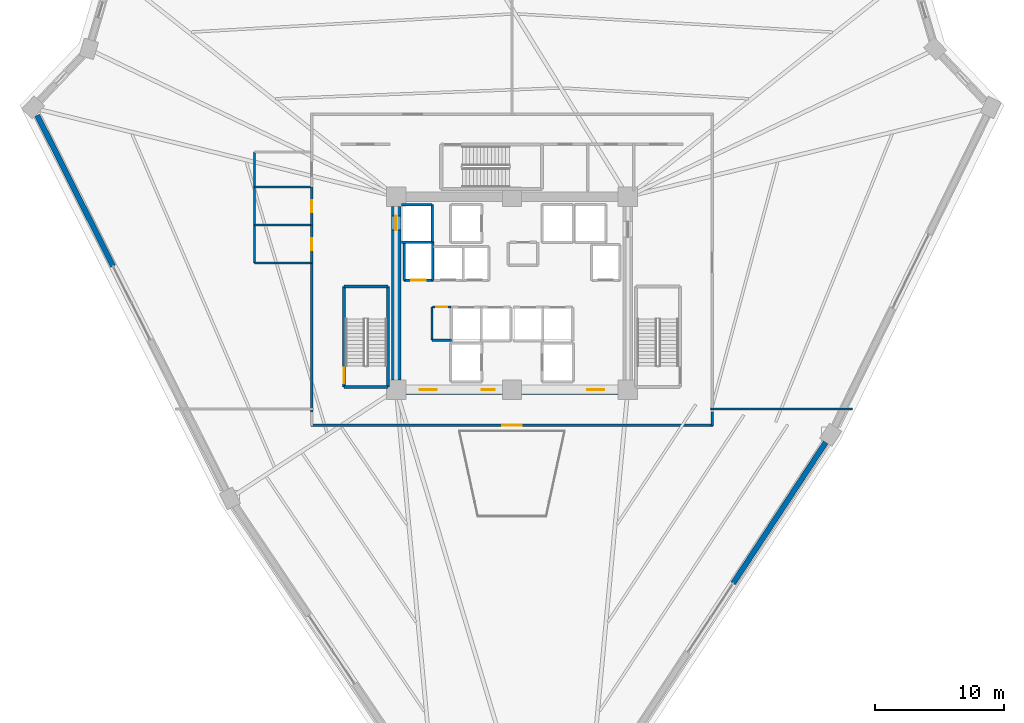
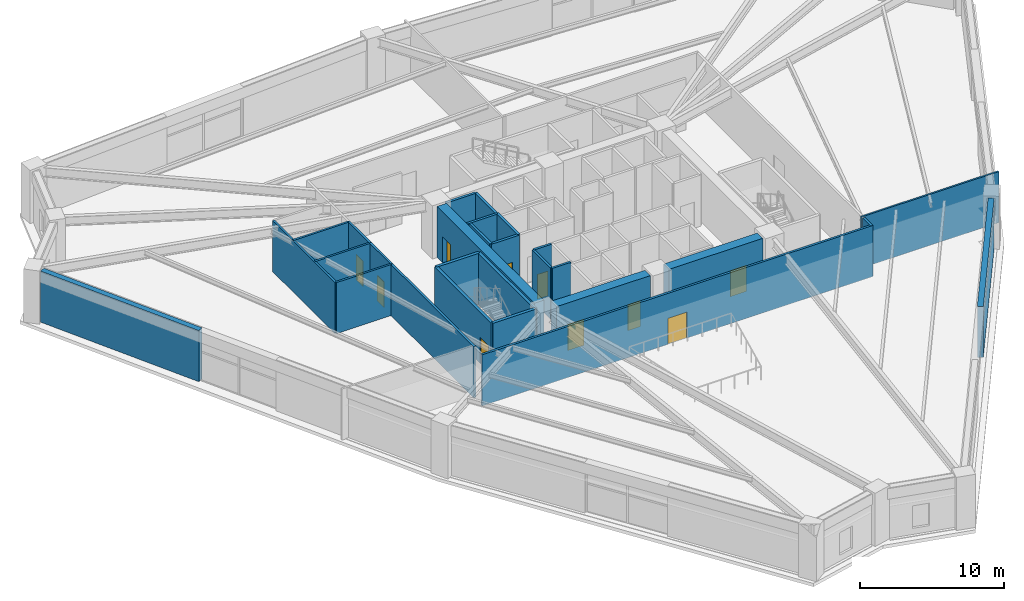
# One storey, part 25 of 30: 28 walls, 10 doors, 10 openings.
"""IFC4 building model written with IfcOpenShell, lengths in metres."""

from ifc_helpers import new_model, si_unit, direction, frame, frame_2d, origin, place, context, subcontext, project, spatial, rectangle, extrude, source, transform, mapped, material, layer, layer_set, type_object, element, fill, save


model = new_model("IFC4")

# Units and contexts
model_context = context("Model", 3, precision=1e-05, world=origin(), true_north=direction((0.0, 1.0)))
body_context = subcontext(model_context, "Body", "Model", "MODEL_VIEW")
ifc_project = project(units=[si_unit("LENGTHUNIT", "METRE"), si_unit("AREAUNIT", "SQUARE_METRE"), si_unit("VOLUMEUNIT", "CUBIC_METRE"), si_unit("PLANEANGLEUNIT", "RADIAN"), si_unit("MASSUNIT", "GRAM", prefix="KILO")], contexts=[model_context])

# Site, building, storey
site_placement = place(None, origin())
site = spatial("IfcSite", under=ifc_project, at=site_placement, CompositionType="ELEMENT")
building_placement = place(site_placement, origin())
building = spatial("IfcBuilding", under=site, at=building_placement, Name="Liaohun Quay Tower", CompositionType="ELEMENT")
storey_placement = place(building_placement, frame((0.0, 0.0, 97.5)))
storey = spatial("IfcBuildingStorey", under=building, at=storey_placement, Name="L25", CompositionType="ELEMENT", Elevation=97.5)

# Wall, opening, door
ifc_material_1 = material(Name="Concrete C60", Category="concrete")
ifc_layer_1 = layer(ifc_material_1, 0.75, Name="Concrete C60", Category="concrete")
ifc_layer_set_1 = layer_set([ifc_layer_1], Name="Concrete C60")
wall_type_1 = type_object("IfcWallType", Name="WAL-COR-Z2", PredefinedType="SHEAR", material=ifc_layer_set_1)
wall_1_placement = place(storey_placement, frame((68.25, 46.5, 0.0), z_axis=(0.0, 0.0, 1.0), x_axis=(-1.0, 0.0, 0.0)))
wall_1 = element("IfcWall", 1, at=wall_1_placement, inside=storey, type_object=wall_type_1, Name="L25 Central Core Shear Wall S-E", PredefinedType="SHEAR", context=body_context, shape_type="SweptSolid", body=[
    extrude(rectangle(XDim=7.5, YDim=0.75, at=frame_2d((3.75, 0.0))), origin(), (0.0, 0.0, 1.0), 4.320068359375),
])
shared_shape_1 = source(origin(), body_context, "Body", "SweptSolid", [
    extrude(rectangle(XDim=1.300048828125, YDim=2.199951171875, at=frame_2d((0.64990234375, 1.10009765625))), frame((0.0, 0.385009765625, 0.0), z_axis=(0.0, -1.0, 0.0), x_axis=(1.0, 0.0, 0.0)), (0.0, 0.0, 1.0), 0.77001953125),
])
opening_1_placement = place(wall_1_placement, frame((1.10009765625, 0.0, 0.0)))
opening_1 = element("IfcOpeningElement", 2, at=opening_1_placement, cuts=wall_1, Name="Opening FD1", PredefinedType="OPENING", context=body_context, shape_type="MappedRepresentation", body=[
    mapped(shared_shape_1, transform((0.0, 0.0, 0.0), x_axis=(1.0, 0.0, 0.0), y_axis=(0.0, 1.0, 0.0), z_axis=(0.0, 0.0, 1.0), scale=1.0)),
])
ifc_material_2 = material(Name="Galvanised steel smokeproof fire door", Category="steel")
door_type_1 = type_object("IfcDoorType", Name="DOR-FFL-1300", OperationType="NOTDEFINED", PredefinedType="DOOR", material=ifc_material_2)
shared_shape_2 = source(origin(), body_context, "Body", "SweptSolid", [
    extrude(rectangle(XDim=1.300048828125, YDim=2.199951171875, at=frame_2d((0.64990234375, 1.10009765625))), frame((0.0, 0.02490234375, 0.0), z_axis=(0.0, -1.0, 0.0), x_axis=(1.0, 0.0, 0.0)), (0.0, 0.0, 1.0), 0.050048828125),
])
door_1_placement = place(opening_1_placement, origin())
door_1 = element("IfcDoor", 3, at=door_1_placement, inside=storey, type_object=door_type_1, Name="L25 East Core Lift Lobby Smokeproof Door", OperationType="SINGLE_SWING_LEFT", OverallHeight=2.199951171875, OverallWidth=1.300048828125, PredefinedType="DOOR", context=body_context, shape_type="MappedRepresentation", body=[
    mapped(shared_shape_2, transform((0.0, 0.0, 0.0), x_axis=(1.0, 0.0, 0.0), y_axis=(0.0, 1.0, 0.0), z_axis=(0.0, 0.0, 1.0), scale=1.0)),
])
fill(opening_1, door_1)

# Wall, openings, doors
wall_2_placement = place(storey_placement, frame((59.25, 46.5, 0.0), z_axis=(0.0, 0.0, 1.0), x_axis=(-1.0, 0.0, 0.0)))
wall_2 = element("IfcWall", 4, at=wall_2_placement, inside=storey, type_object=wall_type_1, Name="L25 Central Core Shear Wall S-W", PredefinedType="SHEAR", context=body_context, shape_type="SweptSolid", body=[
    extrude(rectangle(XDim=7.5, YDim=0.75, at=frame_2d((3.75, 0.0))), origin(), (0.0, 0.0, 1.0), 4.320068359375),
])
opening_2_placement = place(wall_2_placement, frame((5.10009765625, 0.0, 0.0)))
opening_2 = element("IfcOpeningElement", 5, at=opening_2_placement, cuts=wall_2, Name="Opening FD1", PredefinedType="OPENING", context=body_context, shape_type="MappedRepresentation", body=[
    mapped(shared_shape_1, transform((0.0, 0.0, 0.0), x_axis=(1.0, 0.0, 0.0), y_axis=(0.0, 1.0, 0.0), z_axis=(0.0, 0.0, 1.0), scale=1.0)),
])
shared_shape_3 = source(origin(), body_context, "Body", "SweptSolid", [
    extrude(rectangle(XDim=1.0, YDim=2.199951171875, at=frame_2d((0.5, 1.10009765625))), frame((0.0, 0.385009765625, 0.0), z_axis=(0.0, -1.0, 0.0), x_axis=(1.0, 0.0, 0.0)), (0.0, 0.0, 1.0), 0.77001953125),
])
opening_3_placement = place(wall_2_placement, frame((0.60009765625, 0.0, 0.0)))
opening_3 = element("IfcOpeningElement", 6, at=opening_3_placement, cuts=wall_2, Name="Opening FD2", PredefinedType="OPENING", context=body_context, shape_type="MappedRepresentation", body=[
    mapped(shared_shape_3, transform((0.0, 0.0, 0.0), x_axis=(1.0, 0.0, 0.0), y_axis=(0.0, 1.0, 0.0), z_axis=(0.0, 0.0, 1.0), scale=1.0)),
])
door_2_placement = place(opening_2_placement, origin())
door_2 = element("IfcDoor", 7, at=door_2_placement, inside=storey, type_object=door_type_1, Name="L25 West Core Lift Lobby Smokeproof Door", OperationType="SINGLE_SWING_RIGHT", OverallHeight=2.199951171875, OverallWidth=1.300048828125, PredefinedType="DOOR", context=body_context, shape_type="MappedRepresentation", body=[
    mapped(shared_shape_2, transform((0.0, 0.0, 0.0), x_axis=(1.0, 0.0, 0.0), y_axis=(0.0, 1.0, 0.0), z_axis=(0.0, 0.0, 1.0), scale=1.0)),
])
fill(opening_2, door_2)
ifc_material_3 = material(Name="Galvanised steel smokeproof lobby fire door", Category="steel")
door_type_2 = type_object("IfcDoorType", Name="DOR-FFL-1000", OperationType="NOTDEFINED", PredefinedType="DOOR", material=ifc_material_3)
shared_shape_4 = source(origin(), body_context, "Body", "SweptSolid", [
    extrude(rectangle(XDim=1.0, YDim=2.199951171875, at=frame_2d((0.5, 1.10009765625))), frame((0.0, 0.02490234375, 0.0), z_axis=(0.0, -1.0, 0.0), x_axis=(1.0, 0.0, 0.0)), (0.0, 0.0, 1.0), 0.050048828125),
])
door_3_placement = place(opening_3_placement, origin())
door_3 = element("IfcDoor", 8, at=door_3_placement, inside=storey, type_object=door_type_2, Name="L25 South Firefighting Lobby Smokeproof Door", OperationType="SINGLE_SWING_LEFT", OverallHeight=2.199951171875, OverallWidth=1.0, PredefinedType="DOOR", context=body_context, shape_type="MappedRepresentation", body=[
    mapped(shared_shape_4, transform((0.0, 0.0, 0.0), x_axis=(1.0, 0.0, 0.0), y_axis=(0.0, 1.0, 0.0), z_axis=(0.0, 0.0, 1.0), scale=1.0)),
])
fill(opening_3, door_3)

# Wall, opening, door
wall_3_placement = place(storey_placement, frame((51.0, 47.25, 0.0), z_axis=(0.0, 0.0, 1.0), x_axis=(0.0, 1.0, 0.0)))
wall_3 = element("IfcWall", 9, at=wall_3_placement, inside=storey, type_object=wall_type_1, Name="L25 Central Core Shear Wall W", PredefinedType="SHEAR", context=body_context, shape_type="SweptSolid", body=[
    extrude(rectangle(XDim=13.5, YDim=0.75, at=frame_2d((6.75, 0.0))), origin(), (0.0, 0.0, 1.0), 4.320068359375),
])
shared_shape_5 = source(origin(), body_context, "Body", "SweptSolid", [
    extrude(rectangle(XDim=1.10009765625, YDim=2.199951171875, at=frame_2d((0.550048828125, 1.10009765625))), frame((0.0, 0.385009765625, 0.0), z_axis=(0.0, -1.0, 0.0), x_axis=(1.0, 0.0, 0.0)), (0.0, 0.0, 1.0), 0.77001953125),
])
opening_4_placement = place(wall_3_placement, frame((11.64990234375, 0.0, 0.0)))
opening_4 = element("IfcOpeningElement", 10, at=opening_4_placement, cuts=wall_3, Name="Opening LD1", PredefinedType="OPENING", context=body_context, shape_type="MappedRepresentation", body=[
    mapped(shared_shape_5, transform((0.0, 0.0, 0.0), x_axis=(1.0, 0.0, 0.0), y_axis=(0.0, 1.0, 0.0), z_axis=(0.0, 0.0, 1.0), scale=1.0)),
])
ifc_material_4 = material(Name="Brushed stainless steel landing door", Category="steel")
door_type_3 = type_object("IfcDoorType", Name="DOR-LFT-1100", OperationType="SLIDING_TO_LEFT", PredefinedType="DOOR", material=ifc_material_4)
shared_shape_6 = source(origin(), body_context, "Body", "SweptSolid", [
    extrude(rectangle(XDim=1.10009765625, YDim=2.199951171875, at=frame_2d((0.550048828125, 1.10009765625))), frame((0.0, 0.02490234375, 0.0), z_axis=(0.0, -1.0, 0.0), x_axis=(1.0, 0.0, 0.0)), (0.0, 0.0, 1.0), 0.050048828125),
])
door_4_placement = place(opening_4_placement, origin())
door_4 = element("IfcDoor", 11, at=door_4_placement, inside=storey, type_object=door_type_3, Name="L25 Lift SH-01 Sliding Landing Door", OperationType="SLIDING_TO_LEFT", OverallHeight=2.199951171875, OverallWidth=1.10009765625, PredefinedType="DOOR", context=body_context, shape_type="MappedRepresentation", body=[
    mapped(shared_shape_6, transform((0.0, 0.0, 0.0), x_axis=(1.0, 0.0, 0.0), y_axis=(0.0, 1.0, 0.0), z_axis=(0.0, 0.0, 1.0), scale=1.0)),
])
fill(opening_4, door_4)

# Walls
ifc_material_5 = material(Name="Precast concrete C50 insulated sandwich", Category="concrete")
ifc_layer_2 = layer(ifc_material_5, 0.419921875, Name="Precast concrete C50 insulated sandwich", Category="concrete")
ifc_layer_set_2 = layer_set([ifc_layer_2], Name="Precast concrete C50 insulated sandwich")
wall_type_2 = type_object("IfcWallType", Name="WAL-EXT-Z12", PredefinedType="SOLIDWALL", material=ifc_layer_set_2)
wall_4_placement = place(storey_placement, frame((77.18798828125, 31.458984375, 0.0), z_axis=(0.0, 0.0, 1.0), x_axis=(0.548812607752, 0.835945405857, 0.0)))
element("IfcWall", 12, at=wall_4_placement, inside=storey, type_object=wall_type_2, Name="L25 Belvedere Flank Pier Wall 02R", PredefinedType="SOLIDWALL", context=body_context, shape_type="SweptSolid", body=[
    extrude(rectangle(XDim=13.112060546875, YDim=0.419921875, at=frame_2d((6.55615234375, 0.0))), origin(), (0.0, 0.0, 1.0), 4.320068359375),
])
wall_5_placement = place(storey_placement, frame((23.112060546875, 67.81591796875, 0.0), z_axis=(0.0, 0.0, 1.0), x_axis=(0.449565442293, -0.893247397475, 0.0)))
element("IfcWall", 13, at=wall_5_placement, inside=storey, type_object=wall_type_2, Name="L25 Belvedere Flank Pier Wall 10L", PredefinedType="SOLIDWALL", context=body_context, shape_type="SweptSolid", body=[
    extrude(rectangle(XDim=13.11279296875, YDim=0.419921875, at=frame_2d((6.556396484375, 0.0))), origin(), (0.0, 0.0, 1.0), 4.320068359375),
])

# Wall, opening, door
ifc_material_6 = material(Name="Autoclaved aerated concrete blockwork", Category="masonry")
ifc_layer_3 = layer(ifc_material_6, 0.179931640625, Name="Autoclaved aerated concrete blockwork", Category="masonry")
ifc_layer_set_3 = layer_set([ifc_layer_3], Name="Autoclaved aerated concrete blockwork")
wall_type_3 = type_object("IfcWallType", Name="WAL-PRT-COR", PredefinedType="PARTITIONING", material=ifc_layer_set_3)
wall_6_placement = place(storey_placement, frame((53.820068359375, 52.919921875, 0.0), z_axis=(0.0, 0.0, 1.0), x_axis=(1.0, 0.0, 0.0)))
wall_6 = element("IfcWall", 14, at=wall_6_placement, inside=storey, type_object=wall_type_3, Name="L25 Interior Partition Wall 002", PredefinedType="PARTITIONING", context=body_context, shape_type="SweptSolid", body=[
    extrude(rectangle(XDim=1.429931640625, YDim=0.179931640625, at=frame_2d((0.71484375, 0.0))), origin(), (0.0, 0.0, 1.0), 4.320068359375),
])
shared_shape_7 = source(origin(), body_context, "Body", "SweptSolid", [
    extrude(rectangle(XDim=0.85009765625, YDim=2.10009765625, at=frame_2d((0.425048828125, 1.050048828125))), frame((0.0, 0.099853515625, 0.0), z_axis=(0.0, -1.0, 0.0), x_axis=(1.0, 0.0, 0.0)), (0.0, 0.0, 1.0), 0.199951171875),
])
opening_5_placement = place(wall_6_placement, frame((0.2900390625, 0.0, 0.0)))
opening_5 = element("IfcOpeningElement", 15, at=opening_5_placement, cuts=wall_6, Name="Opening AD1", PredefinedType="OPENING", context=body_context, shape_type="MappedRepresentation", body=[
    mapped(shared_shape_7, transform((0.0, 0.0, 0.0), x_axis=(1.0, 0.0, 0.0), y_axis=(0.0, 1.0, 0.0), z_axis=(0.0, 0.0, 1.0), scale=1.0)),
])
ifc_material_7 = material(Name="Steel riser inspection fire door", Category="steel")
door_type_4 = type_object("IfcDoorType", Name="DOR-SHF-850", OperationType="NOTDEFINED", PredefinedType="DOOR", material=ifc_material_7)
shared_shape_8 = source(origin(), body_context, "Body", "SweptSolid", [
    extrude(rectangle(XDim=0.85009765625, YDim=2.10009765625, at=frame_2d((0.425048828125, 1.050048828125))), frame((0.0, 0.02490234375, 0.0), z_axis=(0.0, -1.0, 0.0), x_axis=(1.0, 0.0, 0.0)), (0.0, 0.0, 1.0), 0.050048828125),
])
door_5_placement = place(opening_5_placement, origin())
door_5 = element("IfcDoor", 16, at=door_5_placement, inside=storey, type_object=door_type_4, Name="L25 Mechanical Smoke Duct Room Door", OperationType="SINGLE_SWING_RIGHT", OverallHeight=2.10009765625, OverallWidth=0.85009765625, PredefinedType="DOOR", context=body_context, shape_type="MappedRepresentation", body=[
    mapped(shared_shape_8, transform((0.0, 0.0, 0.0), x_axis=(1.0, 0.0, 0.0), y_axis=(0.0, 1.0, 0.0), z_axis=(0.0, 0.0, 1.0), scale=1.0)),
])
fill(opening_5, door_5)

wall_7_placement = place(storey_placement, frame((75.6298828125, 43.739990234375, 0.0), z_axis=(0.0, 0.0, 1.0), x_axis=(-1.0, 0.0, 0.0)))
wall_7 = element("IfcWall", 17, at=wall_7_placement, inside=storey, type_object=wall_type_3, Name="L25 Interior Partition Wall 012", PredefinedType="PARTITIONING", context=body_context, shape_type="SweptSolid", body=[
    extrude(rectangle(XDim=31.259765625, YDim=0.179931640625, at=frame_2d((15.6298828125, 0.0))), origin(), (0.0, 0.0, 1.0), 4.320068359375),
])
shared_shape_9 = source(origin(), body_context, "Body", "SweptSolid", [
    extrude(rectangle(XDim=1.5, YDim=2.199951171875, at=frame_2d((0.75, 1.10009765625))), frame((0.0, 0.099853515625, 0.0), z_axis=(0.0, -1.0, 0.0), x_axis=(1.0, 0.0, 0.0)), (0.0, 0.0, 1.0), 0.199951171875),
])
opening_6_placement = place(wall_7_placement, frame((14.8798828125, 0.0, 0.0)))
opening_6 = element("IfcOpeningElement", 18, at=opening_6_placement, cuts=wall_7, Name="Opening OD2", PredefinedType="OPENING", context=body_context, shape_type="MappedRepresentation", body=[
    mapped(shared_shape_9, transform((0.0, 0.0, 0.0), x_axis=(1.0, 0.0, 0.0), y_axis=(0.0, 1.0, 0.0), z_axis=(0.0, 0.0, 1.0), scale=1.0)),
])
ifc_material_8 = material(Name="Acoustic oak veneer double door")
door_type_5 = type_object("IfcDoorType", Name="DOR-OFF-1500", OperationType="DOUBLE_DOOR_SINGLE_SWING", PredefinedType="DOOR", material=ifc_material_8)
shared_shape_10 = source(origin(), body_context, "Body", "SweptSolid", [
    extrude(rectangle(XDim=1.5, YDim=2.199951171875, at=frame_2d((0.75, 1.10009765625))), frame((0.0, 0.02490234375, 0.0), z_axis=(0.0, -1.0, 0.0), x_axis=(1.0, 0.0, 0.0)), (0.0, 0.0, 1.0), 0.050048828125),
])
door_6_placement = place(opening_6_placement, origin())
door_6 = element("IfcDoor", 19, at=door_6_placement, inside=storey, type_object=door_type_5, Name="L25 Sky Refreshment Pantry and Kitchen 03 Door", OperationType="DOUBLE_DOOR_SINGLE_SWING", OverallHeight=2.199951171875, OverallWidth=1.5, PredefinedType="DOOR", context=body_context, shape_type="MappedRepresentation", body=[
    mapped(shared_shape_10, transform((0.0, 0.0, 0.0), x_axis=(1.0, 0.0, 0.0), y_axis=(0.0, 1.0, 0.0), z_axis=(0.0, 0.0, 1.0), scale=1.0)),
])
fill(opening_6, door_6)

# Walls
wall_8_placement = place(storey_placement, frame((53.7900390625, 50.35009765625, 0.0), z_axis=(0.0, 0.0, 1.0), x_axis=(0.0, 1.0, 0.0)))
element("IfcWall", 20, at=wall_8_placement, inside=storey, type_object=wall_type_3, Name="L25 Interior Partition Wall 016", PredefinedType="PARTITIONING", context=body_context, shape_type="SweptSolid", body=[
    extrude(rectangle(XDim=2.56982421875, YDim=0.179931640625, at=frame_2d((1.284912109375, 0.0))), origin(), (0.0, 0.0, 1.0), 4.320068359375),
])
wall_9_placement = place(storey_placement, frame((53.7900390625, 50.35009765625, 0.0), z_axis=(0.0, 0.0, 1.0), x_axis=(1.0, 0.0, 0.0)))
element("IfcWall", 21, at=wall_9_placement, inside=storey, type_object=wall_type_3, Name="L25 Interior Partition Wall 017", PredefinedType="PARTITIONING", context=body_context, shape_type="SweptSolid", body=[
    extrude(rectangle(XDim=1.489990234375, YDim=0.179931640625, at=frame_2d((0.7451171875, 0.0))), origin(), (0.0, 0.0, 1.0), 4.320068359375),
])
wall_10_placement = place(storey_placement, frame((44.43994140625, 44.784912109375, 0.0), z_axis=(0.0, 0.0, 1.0), x_axis=(0.0, 1.0, 0.0)))
element("IfcWall", 22, at=wall_10_placement, inside=storey, type_object=wall_type_3, Name="L25 Interior Partition Wall 026", PredefinedType="PARTITIONING", context=body_context, shape_type="SweptSolid", body=[
    extrude(rectangle(XDim=11.55517578125, YDim=0.179931640625, at=frame_2d((5.777587890625, 0.0))), origin(), (0.0, 0.0, 1.0), 4.320068359375),
])
wall_11_placement = place(storey_placement, frame((75.56005859375, 44.784912109375, 0.0), z_axis=(0.0, 0.0, 1.0), x_axis=(0.0, -1.0, 0.0)))
element("IfcWall", 23, at=wall_11_placement, inside=storey, type_object=wall_type_3, Name="L25 Interior Partition Wall 029", PredefinedType="PARTITIONING", context=body_context, shape_type="SweptSolid", body=[
    extrude(rectangle(XDim=1.114990234375, YDim=0.179931640625, at=frame_2d((0.5576171875, 0.0))), origin(), (0.0, 0.0, 1.0), 4.320068359375),
])
ifc_material_9 = material(Name="Gypsum board on twin steel studs", Category="steel")
ifc_layer_4 = layer(ifc_material_9, 0.139892578125, Name="Gypsum board on twin steel studs", Category="steel")
ifc_layer_set_4 = layer_set([ifc_layer_4], Name="Gypsum board on twin steel studs")
wall_type_4 = type_object("IfcWallType", Name="WAL-PRT-OFF", PredefinedType="PARTITIONING", material=ifc_layer_set_4)
wall_12_placement = place(storey_placement, frame((75.4599609375, 45.0, 0.0), z_axis=(0.0, 0.0, 1.0), x_axis=(1.0, 0.0, 0.0)))
element("IfcWall", 24, at=wall_12_placement, inside=storey, type_object=wall_type_4, Name="L25 Interior Partition Wall 031", PredefinedType="PARTITIONING", context=body_context, shape_type="SweptSolid", body=[
    extrude(rectangle(XDim=10.984130859375, YDim=0.139892578125, at=frame_2d((5.4921875, 0.0))), origin(), (0.0, 0.0, 1.0), 4.320068359375),
])

# Wall, opening, door
ifc_material_10 = material(Name="Moisture-resistant masonry blockwork", Category="masonry")
ifc_layer_5 = layer(ifc_material_10, 0.159912109375, Name="Moisture-resistant masonry blockwork", Category="masonry")
ifc_layer_set_5 = layer_set([ifc_layer_5], Name="Moisture-resistant masonry blockwork")
wall_type_5 = type_object("IfcWallType", Name="WAL-PRT-WET", PredefinedType="PARTITIONING", material=ifc_layer_set_5)
wall_13_placement = place(storey_placement, frame((44.43994140625, 56.340087890625, 0.0), z_axis=(0.0, 0.0, 1.0), x_axis=(0.0, 1.0, 0.0)))
wall_13 = element("IfcWall", 25, at=wall_13_placement, inside=storey, type_object=wall_type_5, Name="L25 Interior Partition Wall 003", PredefinedType="PARTITIONING", context=body_context, shape_type="SweptSolid", body=[
    extrude(rectangle(XDim=2.93994140625, YDim=0.159912109375, at=frame_2d((1.469970703125, 0.0))), origin(), (0.0, 0.0, 1.0), 4.320068359375),
])
shared_shape_11 = source(origin(), body_context, "Body", "SweptSolid", [
    extrude(rectangle(XDim=0.949951171875, YDim=2.14990234375, at=frame_2d((0.47509765625, 1.074951171875))), frame((0.0, 0.08984375, 0.0), z_axis=(0.0, -1.0, 0.0), x_axis=(1.0, 0.0, 0.0)), (0.0, 0.0, 1.0), 0.179931640625),
])
opening_7_placement = place(wall_13_placement, frame((0.9951171875, 0.0, 0.0)))
opening_7 = element("IfcOpeningElement", 26, at=opening_7_placement, cuts=wall_13, Name="Opening WD1", PredefinedType="OPENING", context=body_context, shape_type="MappedRepresentation", body=[
    mapped(shared_shape_11, transform((0.0, 0.0, 0.0), x_axis=(1.0, 0.0, 0.0), y_axis=(0.0, 1.0, 0.0), z_axis=(0.0, 0.0, 1.0), scale=1.0)),
])
ifc_material_11 = material(Name="Moisture-resistant laminate timber leaf", Category="wood")
door_type_6 = type_object("IfcDoorType", Name="DOR-WC-950", OperationType="NOTDEFINED", PredefinedType="DOOR", material=ifc_material_11)
shared_shape_12 = source(origin(), body_context, "Body", "SweptSolid", [
    extrude(rectangle(XDim=0.949951171875, YDim=2.14990234375, at=frame_2d((0.47509765625, 1.074951171875))), frame((0.0, 0.02490234375, 0.0), z_axis=(0.0, -1.0, 0.0), x_axis=(1.0, 0.0, 0.0)), (0.0, 0.0, 1.0), 0.050048828125),
])
door_7_placement = place(opening_7_placement, origin())
door_7 = element("IfcDoor", 27, at=door_7_placement, inside=storey, type_object=door_type_6, Name="L25 Male Restroom WC Door", OperationType="SINGLE_SWING_LEFT", OverallHeight=2.14990234375, OverallWidth=0.949951171875, PredefinedType="DOOR", context=body_context, shape_type="MappedRepresentation", body=[
    mapped(shared_shape_12, transform((0.0, 0.0, 0.0), x_axis=(1.0, 0.0, 0.0), y_axis=(0.0, 1.0, 0.0), z_axis=(0.0, 0.0, 1.0), scale=1.0)),
])
fill(opening_7, door_7)

wall_14_placement = place(storey_placement, frame((44.43994140625, 59.280029296875, 0.0), z_axis=(0.0, 0.0, 1.0), x_axis=(0.0, 1.0, 0.0)))
wall_14 = element("IfcWall", 28, at=wall_14_placement, inside=storey, type_object=wall_type_5, Name="L25 Interior Partition Wall 004", PredefinedType="PARTITIONING", context=body_context, shape_type="SweptSolid", body=[
    extrude(rectangle(XDim=2.9599609375, YDim=0.159912109375, at=frame_2d((1.47998046875, 0.0))), origin(), (0.0, 0.0, 1.0), 4.320068359375),
])
opening_8_placement = place(wall_14_placement, frame((1.0048828125, 0.0, 0.0)))
opening_8 = element("IfcOpeningElement", 29, at=opening_8_placement, cuts=wall_14, Name="Opening WD1", PredefinedType="OPENING", context=body_context, shape_type="MappedRepresentation", body=[
    mapped(shared_shape_11, transform((0.0, 0.0, 0.0), x_axis=(1.0, 0.0, 0.0), y_axis=(0.0, 1.0, 0.0), z_axis=(0.0, 0.0, 1.0), scale=1.0)),
])
door_8_placement = place(opening_8_placement, origin())
door_8 = element("IfcDoor", 30, at=door_8_placement, inside=storey, type_object=door_type_6, Name="L25 Female Restroom WC Door", OperationType="SINGLE_SWING_RIGHT", OverallHeight=2.14990234375, OverallWidth=0.949951171875, PredefinedType="DOOR", context=body_context, shape_type="MappedRepresentation", body=[
    mapped(shared_shape_12, transform((0.0, 0.0, 0.0), x_axis=(1.0, 0.0, 0.0), y_axis=(0.0, 1.0, 0.0), z_axis=(0.0, 0.0, 1.0), scale=1.0)),
])
fill(opening_8, door_8)

# Walls
wall_15_placement = place(storey_placement, frame((39.97998046875, 56.340087890625, 0.0), z_axis=(0.0, 0.0, 1.0), x_axis=(0.0, 1.0, 0.0)))
element("IfcWall", 31, at=wall_15_placement, inside=storey, type_object=wall_type_5, Name="L25 Interior Partition Wall 018", PredefinedType="PARTITIONING", context=body_context, shape_type="SweptSolid", body=[
    extrude(rectangle(XDim=8.639892578125, YDim=0.159912109375, at=frame_2d((4.31982421875, 0.0))), origin(), (0.0, 0.0, 1.0), 4.320068359375),
])
for number, where, z_axis, x_axis, name in (
    (32, (39.97998046875, 56.340087890625, 0.0), (0.0, 0.0, 1.0), (1.0, 0.0, 0.0), "L25 Interior Partition Wall 019"),
    (33, (39.97998046875, 59.280029296875, 0.0), (0.0, 0.0, 1.0), (1.0, 0.0, 0.0), "L25 Interior Partition Wall 020"),
    (34, (39.97998046875, 62.239990234375, 0.0), (0.0, 0.0, 1.0), (1.0, 0.0, 0.0), "L25 Interior Partition Wall 021"),
):
    element("IfcWall", number, at=place(storey_placement, frame(where, z_axis=z_axis, x_axis=x_axis)), inside=storey, type_object=wall_type_5, Name=name, PredefinedType="PARTITIONING", context=body_context, shape_type="SweptSolid", body=[
        extrude(rectangle(XDim=4.4599609375, YDim=0.159912109375, at=frame_2d((2.22998046875, 0.0))), origin(), (0.0, 0.0, 1.0), 4.320068359375),
    ])
ifc_material_12 = material(Name="Concrete C50", Category="concrete")
ifc_layer_6 = layer(ifc_material_12, 0.239990234375, Name="Concrete C50", Category="concrete")
ifc_layer_set_6 = layer_set([ifc_layer_6], Name="Concrete C50")
wall_type_6 = type_object("IfcWallType", Name="WAL-SHF-200", PredefinedType="SOLIDWALL", material=ifc_layer_set_6)
wall_16_placement = place(storey_placement, frame((46.93994140625, 46.699951171875, 0.0), z_axis=(0.0, 0.0, 1.0), x_axis=(1.0, 0.0, 0.0)))
element("IfcWall", 35, at=wall_16_placement, inside=storey, type_object=wall_type_6, Name="L25 Stairwell ST-1 Structural Core Wall S", PredefinedType="SOLIDWALL", context=body_context, shape_type="SweptSolid", body=[
    extrude(rectangle(XDim=3.43994140625, YDim=0.239990234375, at=frame_2d((1.719970703125, 0.0))), origin(), (0.0, 0.0, 1.0), 4.320068359375),
])
wall_17_placement = place(storey_placement, frame((50.3798828125, 46.699951171875, 0.0), z_axis=(0.0, 0.0, 1.0), x_axis=(0.0, 1.0, 0.0)))
element("IfcWall", 36, at=wall_17_placement, inside=storey, type_object=wall_type_6, Name="L25 Stairwell ST-1 Structural Core Wall E", PredefinedType="SOLIDWALL", context=body_context, shape_type="SweptSolid", body=[
    extrude(rectangle(XDim=7.820068359375, YDim=0.239990234375, at=frame_2d((3.91015625, 0.0))), origin(), (0.0, 0.0, 1.0), 4.320068359375),
])
wall_18_placement = place(storey_placement, frame((50.3798828125, 54.52001953125, 0.0), z_axis=(0.0, 0.0, 1.0), x_axis=(-1.0, 0.0, 0.0)))
element("IfcWall", 37, at=wall_18_placement, inside=storey, type_object=wall_type_6, Name="L25 Stairwell ST-1 Structural Core Wall N", PredefinedType="SOLIDWALL", context=body_context, shape_type="SweptSolid", body=[
    extrude(rectangle(XDim=3.43994140625, YDim=0.239990234375, at=frame_2d((1.719970703125, 0.0))), origin(), (0.0, 0.0, 1.0), 4.320068359375),
])

# Wall, opening, door
wall_19_placement = place(storey_placement, frame((46.93994140625, 54.52001953125, 0.0), z_axis=(0.0, 0.0, 1.0), x_axis=(0.0, -1.0, 0.0)))
wall_19 = element("IfcWall", 38, at=wall_19_placement, inside=storey, type_object=wall_type_6, Name="L25 Stairwell ST-1 Structural Core Wall W", PredefinedType="SOLIDWALL", context=body_context, shape_type="SweptSolid", body=[
    extrude(rectangle(XDim=7.820068359375, YDim=0.239990234375, at=frame_2d((3.91015625, 0.0))), origin(), (0.0, 0.0, 1.0), 4.320068359375),
])
shared_shape_13 = source(origin(), body_context, "Body", "SweptSolid", [
    extrude(rectangle(XDim=1.199951171875, YDim=2.199951171875, at=frame_2d((0.60009765625, 1.10009765625))), frame((0.0, 0.1298828125, 0.0), z_axis=(0.0, -1.0, 0.0), x_axis=(1.0, 0.0, 0.0)), (0.0, 0.0, 1.0), 0.260009765625),
])
opening_9_placement = place(wall_19_placement, frame((6.300048828125, 0.0, 0.0)))
opening_9 = element("IfcOpeningElement", 39, at=opening_9_placement, cuts=wall_19, Name="Opening SD1", PredefinedType="OPENING", context=body_context, shape_type="MappedRepresentation", body=[
    mapped(shared_shape_13, transform((0.0, 0.0, 0.0), x_axis=(1.0, 0.0, 0.0), y_axis=(0.0, 1.0, 0.0), z_axis=(0.0, 0.0, 1.0), scale=1.0)),
])
ifc_material_13 = material(Name="Galvanised steel fire door", Category="steel")
door_type_7 = type_object("IfcDoorType", Name="DOR-STR-1200", OperationType="NOTDEFINED", PredefinedType="DOOR", material=ifc_material_13)
shared_shape_14 = source(origin(), body_context, "Body", "SweptSolid", [
    extrude(rectangle(XDim=1.199951171875, YDim=2.199951171875, at=frame_2d((0.60009765625, 1.10009765625))), frame((0.0, 0.02490234375, 0.0), z_axis=(0.0, -1.0, 0.0), x_axis=(1.0, 0.0, 0.0)), (0.0, 0.0, 1.0), 0.050048828125),
])
door_9_placement = place(opening_9_placement, origin())
door_9 = element("IfcDoor", 40, at=door_9_placement, inside=storey, type_object=door_type_7, Name="L25 Protected Stair ST-1 Fire Door", OperationType="SINGLE_SWING_LEFT", OverallHeight=2.199951171875, OverallWidth=1.199951171875, PredefinedType="DOOR", context=body_context, shape_type="MappedRepresentation", body=[
    mapped(shared_shape_14, transform((0.0, 0.0, 0.0), x_axis=(1.0, 0.0, 0.0), y_axis=(0.0, 1.0, 0.0), z_axis=(0.0, 0.0, 1.0), scale=1.0)),
])
fill(opening_9, door_9)

# Walls
wall_20_placement = place(storey_placement, frame((51.39990234375, 57.949951171875, 0.0), z_axis=(0.0, 0.0, 1.0), x_axis=(1.0, 0.0, 0.0)))
element("IfcWall", 41, at=wall_20_placement, inside=storey, type_object=wall_type_6, Name="L25 Lift SH-01 Hoistway Wall S", PredefinedType="SOLIDWALL", context=body_context, shape_type="SweptSolid", body=[
    extrude(rectangle(XDim=2.400146484375, YDim=0.199951171875, at=frame_2d((1.2001953125, 0.0))), origin(), (0.0, 0.0, 1.0), 4.320068359375),
])
wall_21_placement = place(storey_placement, frame((53.800048828125, 57.949951171875, 0.0), z_axis=(0.0, 0.0, 1.0), x_axis=(0.0, 1.0, 0.0)))
element("IfcWall", 42, at=wall_21_placement, inside=storey, type_object=wall_type_6, Name="L25 Lift SH-01 Hoistway Wall E", PredefinedType="SOLIDWALL", context=body_context, shape_type="SweptSolid", body=[
    extrude(rectangle(XDim=2.929931640625, YDim=0.199951171875, at=frame_2d((1.46484375, 0.0))), origin(), (0.0, 0.0, 1.0), 4.320068359375),
])
wall_22_placement = place(storey_placement, frame((53.800048828125, 60.8798828125, 0.0), z_axis=(0.0, 0.0, 1.0), x_axis=(-1.0, 0.0, 0.0)))
element("IfcWall", 43, at=wall_22_placement, inside=storey, type_object=wall_type_6, Name="L25 Lift SH-01 Hoistway Wall N", PredefinedType="SOLIDWALL", context=body_context, shape_type="SweptSolid", body=[
    extrude(rectangle(XDim=2.400146484375, YDim=0.199951171875, at=frame_2d((1.2001953125, 0.0))), origin(), (0.0, 0.0, 1.0), 4.320068359375),
])

# Wall, opening, door
wall_23_placement = place(storey_placement, frame((51.6201171875, 55.0, 0.0), z_axis=(0.0, 0.0, 1.0), x_axis=(1.0, 0.0, 0.0)))
wall_23 = element("IfcWall", 44, at=wall_23_placement, inside=storey, type_object=wall_type_6, Name="L25 Lift SH-02 Hoistway Wall S", PredefinedType="SOLIDWALL", context=body_context, shape_type="SweptSolid", body=[
    extrude(rectangle(XDim=2.22998046875, YDim=0.199951171875, at=frame_2d((1.114990234375, 0.0))), origin(), (0.0, 0.0, 1.0), 4.320068359375),
])
shared_shape_15 = source(origin(), body_context, "Body", "SweptSolid", [
    extrude(rectangle(XDim=1.10009765625, YDim=2.199951171875, at=frame_2d((0.550048828125, 1.10009765625))), frame((0.0, 0.10986328125, 0.0), z_axis=(0.0, -1.0, 0.0), x_axis=(1.0, 0.0, 0.0)), (0.0, 0.0, 1.0), 0.219970703125),
])
opening_10_placement = place(wall_23_placement, frame((0.56494140625, 0.0, 0.0)))
opening_10 = element("IfcOpeningElement", 45, at=opening_10_placement, cuts=wall_23, Name="Opening LD1", PredefinedType="OPENING", context=body_context, shape_type="MappedRepresentation", body=[
    mapped(shared_shape_15, transform((0.0, 0.0, 0.0), x_axis=(1.0, 0.0, 0.0), y_axis=(0.0, 1.0, 0.0), z_axis=(0.0, 0.0, 1.0), scale=1.0)),
])
door_10_placement = place(opening_10_placement, origin())
door_10 = element("IfcDoor", 46, at=door_10_placement, inside=storey, type_object=door_type_3, Name="L25 Lift SH-02 Sliding Landing Door", OperationType="SLIDING_TO_LEFT", OverallHeight=2.199951171875, OverallWidth=1.10009765625, PredefinedType="DOOR", context=body_context, shape_type="MappedRepresentation", body=[
    mapped(shared_shape_6, transform((0.0, 0.0, 0.0), x_axis=(1.0, 0.0, 0.0), y_axis=(0.0, 1.0, 0.0), z_axis=(0.0, 0.0, 1.0), scale=1.0)),
])
fill(opening_10, door_10)

# Walls
for number, where, z_axis, x_axis, name in (
    (47, (53.85009765625, 55.0, 0.0), (0.0, 0.0, 1.0), (0.0, 1.0, 0.0), "L25 Lift SH-02 Hoistway Wall E"),
    (48, (51.6201171875, 58.0, 0.0), (0.0, 0.0, 1.0), (0.0, -1.0, 0.0), "L25 Lift SH-02 Hoistway Wall W"),
):
    element("IfcWall", number, at=place(storey_placement, frame(where, z_axis=z_axis, x_axis=x_axis)), inside=storey, type_object=wall_type_6, Name=name, PredefinedType="SOLIDWALL", context=body_context, shape_type="SweptSolid", body=[
        extrude(rectangle(XDim=3.0, YDim=0.199951171875, at=frame_2d((1.5, 0.0))), origin(), (0.0, 0.0, 1.0), 4.320068359375),
    ])

save(model, "model.ifc")
